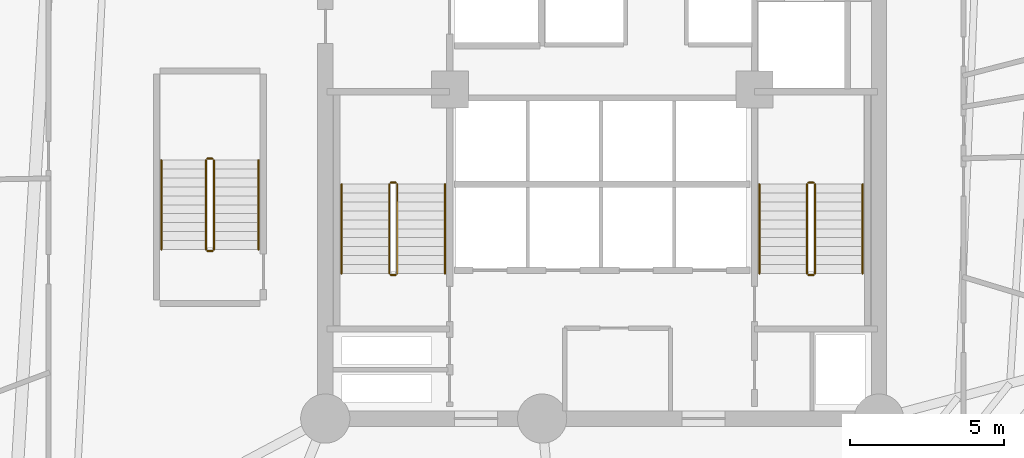
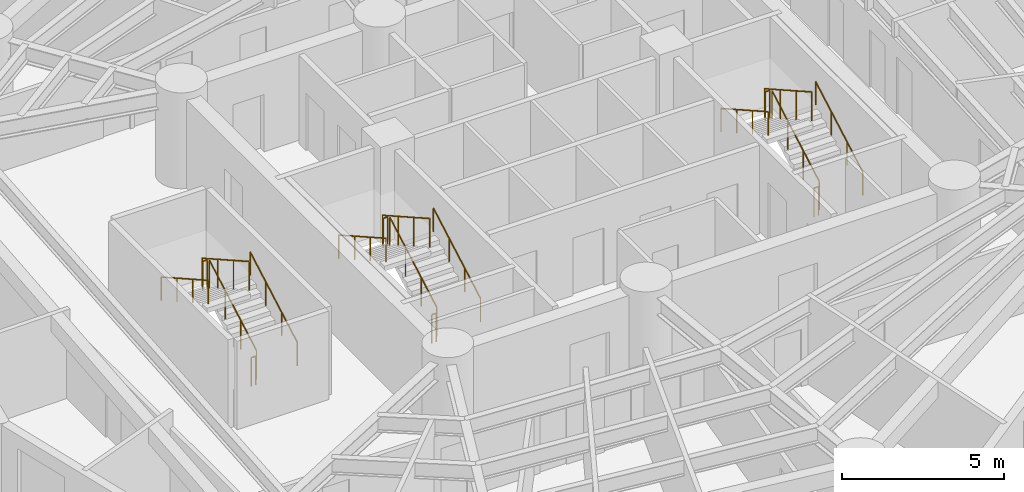
# One storey, part 8 of 8: 18 railings.
"""IFC4 building model written with IfcOpenShell, lengths in metres."""

from ifc_helpers import new_model, si_unit, direction, frame, origin, origin_2d, place, context, subcontext, project, spatial, circle, extrude, material, layer, layer_set, type_object, element, save


model = new_model("IFC4")

# Units and contexts
model_context = context("Model", 3, precision=1e-05, world=origin(), true_north=direction((0.0, 1.0)))
body_context = subcontext(model_context, "Body", "Model", "MODEL_VIEW")
ifc_project = project(units=[si_unit("LENGTHUNIT", "METRE"), si_unit("AREAUNIT", "SQUARE_METRE"), si_unit("VOLUMEUNIT", "CUBIC_METRE"), si_unit("PLANEANGLEUNIT", "RADIAN"), si_unit("MASSUNIT", "GRAM", prefix="KILO")], contexts=[model_context])

# Site, building, storey
site_placement = place(None, origin())
site = spatial("IfcSite", under=ifc_project, at=site_placement, CompositionType="ELEMENT")
building_placement = place(site_placement, origin())
building = spatial("IfcBuilding", under=site, at=building_placement, Name="Karkom Vertical University and Central Library", CompositionType="ELEMENT")
storey_placement = place(building_placement, frame((0.0, 0.0, 84.10009765625)))
storey = spatial("IfcBuildingStorey", under=building, at=storey_placement, Name="L22", CompositionType="ELEMENT", Elevation=84.10009765625)

# Railings
ifc_material_1 = material(Name="Painted galvanised steel balustrade", Category="steel")
ifc_layer_1 = layer(ifc_material_1, 0.06005859375)
ifc_layer_set_1 = layer_set([ifc_layer_1], Name="Painted galvanised steel balustrade")
railing_type_1 = type_object("IfcRailingType", Name="INT-RL-GUARD1100", PredefinedType="GUARDRAIL", material=ifc_layer_set_1)
railing_1_placement = place(storey_placement, frame((21.840087890625, 23.02001953125, 0.16357421875)))
element("IfcRailing", 1, at=railing_1_placement, inside=storey, type_object=railing_type_1, Name="Level 22 ST-1 stair guard 1", PredefinedType="GUARDRAIL", context=body_context, shape_type="SweptSolid", body=[
    extrude(circle(Radius=0.02392578125, at=origin_2d()), frame((0.0, 0.0, 1.076171875), z_axis=(0.0, 0.870928581787, 0.491409610636), x_axis=(-1.0, 0.0, 0.0)), (0.0, 0.0, 1.0), 3.32958984375),
    extrude(circle(Radius=0.02099609375, at=origin_2d()), origin(), (0.0, 0.0, 1.0), 1.052001953125),
    extrude(circle(Radius=0.02099609375, at=origin_2d()), frame((0.0, 0.966552734375, 0.54541015625)), (0.0, 0.0, 1.0), 1.052001953125),
    extrude(circle(Radius=0.02099609375, at=origin_2d()), frame((0.0, 1.933349609375, 1.0908203125)), (0.0, 0.0, 1.0), 1.052001953125),
    extrude(circle(Radius=0.02099609375, at=origin_2d()), frame((0.0, 2.89990234375, 1.63623046875)), (0.0, 0.0, 1.0), 1.052001953125),
])
railing_2_placement = place(storey_placement, frame((21.7900390625, 25.969970703125, 1.7998046875)))
element("IfcRailing", 2, at=railing_2_placement, inside=storey, type_object=railing_type_1, Name="Level 22 ST-1 stair guard 2", PredefinedType="GUARDRAIL", context=body_context, shape_type="SweptSolid", body=[
    extrude(circle(Radius=0.02392578125, at=origin_2d()), frame((0.0, 0.0, 1.076171875), z_axis=(-1.0, 0.0, 0.0), x_axis=(0.0, -1.0, 0.0)), (0.0, 0.0, 1.0), 0.16015625),
    extrude(circle(Radius=0.02099609375, at=origin_2d()), origin(), (0.0, 0.0, 1.0), 1.052001953125),
    extrude(circle(Radius=0.02099609375, at=origin_2d()), frame((-0.16015625, 0.0, 0.0)), (0.0, 0.0, 1.0), 1.052001953125),
])
railing_3_placement = place(storey_placement, frame((21.580078125, 25.919921875, 1.963623046875)))
element("IfcRailing", 3, at=railing_3_placement, inside=storey, type_object=railing_type_1, Name="Level 22 ST-1 stair guard 3", PredefinedType="GUARDRAIL", context=body_context, shape_type="SweptSolid", body=[
    extrude(circle(Radius=0.02392578125, at=origin_2d()), frame((0.0, 0.0, 1.076171875), z_axis=(0.0, -0.870928581787, 0.491409610636), x_axis=(1.0, 0.0, 0.0)), (0.0, 0.0, 1.0), 3.32958984375),
    extrude(circle(Radius=0.02099609375, at=origin_2d()), origin(), (0.0, 0.0, 1.0), 1.052001953125),
    extrude(circle(Radius=0.02099609375, at=origin_2d()), frame((0.0, -0.966552734375, 0.54541015625)), (0.0, 0.0, 1.0), 1.052001953125),
    extrude(circle(Radius=0.02099609375, at=origin_2d()), frame((0.0, -1.933349609375, 1.0908203125)), (0.0, 0.0, 1.0), 1.052001953125),
    extrude(circle(Radius=0.02099609375, at=origin_2d()), frame((0.0, -2.89990234375, 1.63623046875)), (0.0, 0.0, 1.0), 1.052001953125),
])
railing_4_placement = place(storey_placement, frame((21.7900390625, 22.969970703125, 0.0)))
element("IfcRailing", 4, at=railing_4_placement, inside=storey, type_object=railing_type_1, Name="Level 22 ST-1 stair guard 4", PredefinedType="GUARDRAIL", context=body_context, shape_type="SweptSolid", body=[
    extrude(circle(Radius=0.02392578125, at=origin_2d()), frame((0.0, 0.0, 1.076171875), z_axis=(-1.0, 0.0, 0.0), x_axis=(0.0, -1.0, 0.0)), (0.0, 0.0, 1.0), 0.16015625),
    extrude(circle(Radius=0.02099609375, at=origin_2d()), origin(), (0.0, 0.0, 1.0), 1.052001953125),
    extrude(circle(Radius=0.02099609375, at=origin_2d()), frame((-0.16015625, 0.0, 0.0)), (0.0, 0.0, 1.0), 1.052001953125),
])
railing_5_placement = place(storey_placement, frame((35.419921875, 23.02001953125, 0.16357421875)))
element("IfcRailing", 5, at=railing_5_placement, inside=storey, type_object=railing_type_1, Name="Level 22 ST-2 stair guard 1", PredefinedType="GUARDRAIL", context=body_context, shape_type="SweptSolid", body=[
    extrude(circle(Radius=0.02392578125, at=origin_2d()), frame((0.0, 0.0, 1.076171875), z_axis=(0.0, 0.870928581787, 0.491409610636), x_axis=(-1.0, 0.0, 0.0)), (0.0, 0.0, 1.0), 3.32958984375),
    extrude(circle(Radius=0.02099609375, at=origin_2d()), origin(), (0.0, 0.0, 1.0), 1.052001953125),
    extrude(circle(Radius=0.02099609375, at=origin_2d()), frame((0.0, 0.966552734375, 0.54541015625)), (0.0, 0.0, 1.0), 1.052001953125),
    extrude(circle(Radius=0.02099609375, at=origin_2d()), frame((0.0, 1.933349609375, 1.0908203125)), (0.0, 0.0, 1.0), 1.052001953125),
    extrude(circle(Radius=0.02099609375, at=origin_2d()), frame((0.0, 2.89990234375, 1.63623046875)), (0.0, 0.0, 1.0), 1.052001953125),
])
railing_6_placement = place(storey_placement, frame((35.3701171875, 25.969970703125, 1.7998046875)))
element("IfcRailing", 6, at=railing_6_placement, inside=storey, type_object=railing_type_1, Name="Level 22 ST-2 stair guard 2", PredefinedType="GUARDRAIL", context=body_context, shape_type="SweptSolid", body=[
    extrude(circle(Radius=0.02392578125, at=origin_2d()), frame((0.0, 0.0, 1.076171875), z_axis=(-1.0, 0.0, 0.0), x_axis=(0.0, -1.0, 0.0)), (0.0, 0.0, 1.0), 0.16015625),
    extrude(circle(Radius=0.02099609375, at=origin_2d()), origin(), (0.0, 0.0, 1.0), 1.052001953125),
    extrude(circle(Radius=0.02099609375, at=origin_2d()), frame((-0.16015625, 0.0, 0.0)), (0.0, 0.0, 1.0), 1.052001953125),
])
railing_7_placement = place(storey_placement, frame((35.159912109375, 25.919921875, 1.963623046875)))
element("IfcRailing", 7, at=railing_7_placement, inside=storey, type_object=railing_type_1, Name="Level 22 ST-2 stair guard 3", PredefinedType="GUARDRAIL", context=body_context, shape_type="SweptSolid", body=[
    extrude(circle(Radius=0.02392578125, at=origin_2d()), frame((0.0, 0.0, 1.076171875), z_axis=(0.0, -0.870928581787, 0.491409610636), x_axis=(1.0, 0.0, 0.0)), (0.0, 0.0, 1.0), 3.32958984375),
    extrude(circle(Radius=0.02099609375, at=origin_2d()), origin(), (0.0, 0.0, 1.0), 1.052001953125),
    extrude(circle(Radius=0.02099609375, at=origin_2d()), frame((0.0, -0.966552734375, 0.54541015625)), (0.0, 0.0, 1.0), 1.052001953125),
    extrude(circle(Radius=0.02099609375, at=origin_2d()), frame((0.0, -1.933349609375, 1.0908203125)), (0.0, 0.0, 1.0), 1.052001953125),
    extrude(circle(Radius=0.02099609375, at=origin_2d()), frame((0.0, -2.89990234375, 1.63623046875)), (0.0, 0.0, 1.0), 1.052001953125),
])
railing_8_placement = place(storey_placement, frame((35.3701171875, 22.969970703125, 0.0)))
element("IfcRailing", 8, at=railing_8_placement, inside=storey, type_object=railing_type_1, Name="Level 22 ST-2 stair guard 4", PredefinedType="GUARDRAIL", context=body_context, shape_type="SweptSolid", body=[
    extrude(circle(Radius=0.02392578125, at=origin_2d()), frame((0.0, 0.0, 1.076171875), z_axis=(-1.0, 0.0, 0.0), x_axis=(0.0, -1.0, 0.0)), (0.0, 0.0, 1.0), 0.16015625),
    extrude(circle(Radius=0.02099609375, at=origin_2d()), origin(), (0.0, 0.0, 1.0), 1.052001953125),
    extrude(circle(Radius=0.02099609375, at=origin_2d()), frame((-0.16015625, 0.0, 0.0)), (0.0, 0.0, 1.0), 1.052001953125),
])
railing_9_placement = place(storey_placement, frame((15.8798828125, 23.800048828125, 0.16357421875)))
element("IfcRailing", 9, at=railing_9_placement, inside=storey, type_object=railing_type_1, Name="Level 22 ST-3 stair guard 1", PredefinedType="GUARDRAIL", context=body_context, shape_type="SweptSolid", body=[
    extrude(circle(Radius=0.02392578125, at=origin_2d()), frame((0.0, 0.0, 1.076171875), z_axis=(0.0, 0.870928581787, 0.491409610636), x_axis=(-1.0, 0.0, 0.0)), (0.0, 0.0, 1.0), 3.32958984375),
    extrude(circle(Radius=0.02099609375, at=origin_2d()), origin(), (0.0, 0.0, 1.0), 1.052001953125),
    extrude(circle(Radius=0.02099609375, at=origin_2d()), frame((0.0, 0.966552734375, 0.54541015625)), (0.0, 0.0, 1.0), 1.052001953125),
    extrude(circle(Radius=0.02099609375, at=origin_2d()), frame((0.0, 1.933349609375, 1.0908203125)), (0.0, 0.0, 1.0), 1.052001953125),
    extrude(circle(Radius=0.02099609375, at=origin_2d()), frame((0.0, 2.89990234375, 1.63623046875)), (0.0, 0.0, 1.0), 1.052001953125),
])
railing_10_placement = place(storey_placement, frame((15.830078125, 26.75, 1.7998046875)))
element("IfcRailing", 10, at=railing_10_placement, inside=storey, type_object=railing_type_1, Name="Level 22 ST-3 stair guard 2", PredefinedType="GUARDRAIL", context=body_context, shape_type="SweptSolid", body=[
    extrude(circle(Radius=0.02392578125, at=origin_2d()), frame((0.0, 0.0, 1.076171875), z_axis=(-1.0, 0.0, 0.0), x_axis=(0.0, -1.0, 0.0)), (0.0, 0.0, 1.0), 0.16015625),
    extrude(circle(Radius=0.02099609375, at=origin_2d()), origin(), (0.0, 0.0, 1.0), 1.052001953125),
    extrude(circle(Radius=0.02099609375, at=origin_2d()), frame((-0.16015625, 0.0, 0.0)), (0.0, 0.0, 1.0), 1.052001953125),
])
railing_11_placement = place(storey_placement, frame((15.6201171875, 26.699951171875, 1.963623046875)))
element("IfcRailing", 11, at=railing_11_placement, inside=storey, type_object=railing_type_1, Name="Level 22 ST-3 stair guard 3", PredefinedType="GUARDRAIL", context=body_context, shape_type="SweptSolid", body=[
    extrude(circle(Radius=0.02392578125, at=origin_2d()), frame((0.0, 0.0, 1.076171875), z_axis=(0.0, -0.870928581787, 0.491409610636), x_axis=(1.0, 0.0, 0.0)), (0.0, 0.0, 1.0), 3.32958984375),
    extrude(circle(Radius=0.02099609375, at=origin_2d()), origin(), (0.0, 0.0, 1.0), 1.052001953125),
    extrude(circle(Radius=0.02099609375, at=origin_2d()), frame((0.0, -0.966552734375, 0.54541015625)), (0.0, 0.0, 1.0), 1.052001953125),
    extrude(circle(Radius=0.02099609375, at=origin_2d()), frame((0.0, -1.933349609375, 1.0908203125)), (0.0, 0.0, 1.0), 1.052001953125),
    extrude(circle(Radius=0.02099609375, at=origin_2d()), frame((0.0, -2.89990234375, 1.63623046875)), (0.0, 0.0, 1.0), 1.052001953125),
])
railing_12_placement = place(storey_placement, frame((15.830078125, 23.75, 0.0)))
element("IfcRailing", 12, at=railing_12_placement, inside=storey, type_object=railing_type_1, Name="Level 22 ST-3 stair guard 4", PredefinedType="GUARDRAIL", context=body_context, shape_type="SweptSolid", body=[
    extrude(circle(Radius=0.02392578125, at=origin_2d()), frame((0.0, 0.0, 1.076171875), z_axis=(-1.0, 0.0, 0.0), x_axis=(0.0, -1.0, 0.0)), (0.0, 0.0, 1.0), 0.16015625),
    extrude(circle(Radius=0.02099609375, at=origin_2d()), origin(), (0.0, 0.0, 1.0), 1.052001953125),
    extrude(circle(Radius=0.02099609375, at=origin_2d()), frame((-0.16015625, 0.0, 0.0)), (0.0, 0.0, 1.0), 1.052001953125),
])
ifc_material_2 = material(Name="Brushed stainless-steel tubular handrail", Category="steel")
ifc_layer_2 = layer(ifc_material_2, 0.048095703125)
ifc_layer_set_2 = layer_set([ifc_layer_2], Name="Brushed stainless-steel tubular handrail")
railing_type_2 = type_object("IfcRailingType", Name="INT-RL-HAND920", PredefinedType="HANDRAIL", material=ifc_layer_set_2)
railing_13_placement = place(storey_placement, frame((23.389892578125, 23.02001953125, 0.16357421875)))
element("IfcRailing", 13, at=railing_13_placement, inside=storey, type_object=railing_type_2, Name="Level 22 ST-1 stair handrail 1", PredefinedType="HANDRAIL", context=body_context, shape_type="SweptSolid", body=[
    extrude(circle(Radius=0.02392578125, at=origin_2d()), frame((0.0, 0.0, 0.8759765625), z_axis=(0.0, 0.870928581787, 0.491409610636), x_axis=(-1.0, 0.0, 0.0)), (0.0, 0.0, 1.0), 3.32958984375),
    extrude(circle(Radius=0.02099609375, at=origin_2d()), origin(), (0.0, 0.0, 1.0), 0.851806640625),
    extrude(circle(Radius=0.02099609375, at=origin_2d()), frame((0.0, 0.966552734375, 0.54541015625)), (0.0, 0.0, 1.0), 0.851806640625),
    extrude(circle(Radius=0.02099609375, at=origin_2d()), frame((0.0, 1.933349609375, 1.0908203125)), (0.0, 0.0, 1.0), 0.851806640625),
    extrude(circle(Radius=0.02099609375, at=origin_2d()), frame((0.0, 2.89990234375, 1.63623046875)), (0.0, 0.0, 1.0), 0.851806640625),
])
railing_14_placement = place(storey_placement, frame((20.030029296875, 25.919921875, 1.963623046875)))
element("IfcRailing", 14, at=railing_14_placement, inside=storey, type_object=railing_type_2, Name="Level 22 ST-1 stair handrail 2", PredefinedType="HANDRAIL", context=body_context, shape_type="SweptSolid", body=[
    extrude(circle(Radius=0.02392578125, at=origin_2d()), frame((0.0, 0.0, 0.8759765625), z_axis=(0.0, -0.870928581787, 0.491409610636), x_axis=(1.0, 0.0, 0.0)), (0.0, 0.0, 1.0), 3.32958984375),
    extrude(circle(Radius=0.02099609375, at=origin_2d()), origin(), (0.0, 0.0, 1.0), 0.851806640625),
    extrude(circle(Radius=0.02099609375, at=origin_2d()), frame((0.0, -0.966552734375, 0.54541015625)), (0.0, 0.0, 1.0), 0.851806640625),
    extrude(circle(Radius=0.02099609375, at=origin_2d()), frame((0.0, -1.933349609375, 1.0908203125)), (0.0, 0.0, 1.0), 0.851806640625),
    extrude(circle(Radius=0.02099609375, at=origin_2d()), frame((0.0, -2.89990234375, 1.63623046875)), (0.0, 0.0, 1.0), 0.851806640625),
])
railing_15_placement = place(storey_placement, frame((36.969970703125, 23.02001953125, 0.16357421875)))
element("IfcRailing", 15, at=railing_15_placement, inside=storey, type_object=railing_type_2, Name="Level 22 ST-2 stair handrail 1", PredefinedType="HANDRAIL", context=body_context, shape_type="SweptSolid", body=[
    extrude(circle(Radius=0.02392578125, at=origin_2d()), frame((0.0, 0.0, 0.8759765625), z_axis=(0.0, 0.870928581787, 0.491409610636), x_axis=(-1.0, 0.0, 0.0)), (0.0, 0.0, 1.0), 3.32958984375),
    extrude(circle(Radius=0.02099609375, at=origin_2d()), origin(), (0.0, 0.0, 1.0), 0.851806640625),
    extrude(circle(Radius=0.02099609375, at=origin_2d()), frame((0.0, 0.966552734375, 0.54541015625)), (0.0, 0.0, 1.0), 0.851806640625),
    extrude(circle(Radius=0.02099609375, at=origin_2d()), frame((0.0, 1.933349609375, 1.0908203125)), (0.0, 0.0, 1.0), 0.851806640625),
    extrude(circle(Radius=0.02099609375, at=origin_2d()), frame((0.0, 2.89990234375, 1.63623046875)), (0.0, 0.0, 1.0), 0.851806640625),
])
railing_16_placement = place(storey_placement, frame((33.610107421875, 25.919921875, 1.963623046875)))
element("IfcRailing", 16, at=railing_16_placement, inside=storey, type_object=railing_type_2, Name="Level 22 ST-2 stair handrail 2", PredefinedType="HANDRAIL", context=body_context, shape_type="SweptSolid", body=[
    extrude(circle(Radius=0.02392578125, at=origin_2d()), frame((0.0, 0.0, 0.8759765625), z_axis=(0.0, -0.870928581787, 0.491409610636), x_axis=(1.0, 0.0, 0.0)), (0.0, 0.0, 1.0), 3.32958984375),
    extrude(circle(Radius=0.02099609375, at=origin_2d()), origin(), (0.0, 0.0, 1.0), 0.851806640625),
    extrude(circle(Radius=0.02099609375, at=origin_2d()), frame((0.0, -0.966552734375, 0.54541015625)), (0.0, 0.0, 1.0), 0.851806640625),
    extrude(circle(Radius=0.02099609375, at=origin_2d()), frame((0.0, -1.933349609375, 1.0908203125)), (0.0, 0.0, 1.0), 0.851806640625),
    extrude(circle(Radius=0.02099609375, at=origin_2d()), frame((0.0, -2.89990234375, 1.63623046875)), (0.0, 0.0, 1.0), 0.851806640625),
])
railing_17_placement = place(storey_placement, frame((17.330078125, 23.800048828125, 0.16357421875)))
element("IfcRailing", 17, at=railing_17_placement, inside=storey, type_object=railing_type_2, Name="Level 22 ST-3 stair handrail 1", PredefinedType="HANDRAIL", context=body_context, shape_type="SweptSolid", body=[
    extrude(circle(Radius=0.02392578125, at=origin_2d()), frame((0.0, 0.0, 0.8759765625), z_axis=(0.0, 0.870928581787, 0.491409610636), x_axis=(-1.0, 0.0, 0.0)), (0.0, 0.0, 1.0), 3.32958984375),
    extrude(circle(Radius=0.02099609375, at=origin_2d()), origin(), (0.0, 0.0, 1.0), 0.851806640625),
    extrude(circle(Radius=0.02099609375, at=origin_2d()), frame((0.0, 0.966552734375, 0.54541015625)), (0.0, 0.0, 1.0), 0.851806640625),
    extrude(circle(Radius=0.02099609375, at=origin_2d()), frame((0.0, 1.933349609375, 1.0908203125)), (0.0, 0.0, 1.0), 0.851806640625),
    extrude(circle(Radius=0.02099609375, at=origin_2d()), frame((0.0, 2.89990234375, 1.63623046875)), (0.0, 0.0, 1.0), 0.851806640625),
])
railing_18_placement = place(storey_placement, frame((14.169921875, 26.699951171875, 1.963623046875)))
element("IfcRailing", 18, at=railing_18_placement, inside=storey, type_object=railing_type_2, Name="Level 22 ST-3 stair handrail 2", PredefinedType="HANDRAIL", context=body_context, shape_type="SweptSolid", body=[
    extrude(circle(Radius=0.02392578125, at=origin_2d()), frame((0.0, 0.0, 0.8759765625), z_axis=(0.0, -0.870928581787, 0.491409610636), x_axis=(1.0, 0.0, 0.0)), (0.0, 0.0, 1.0), 3.32958984375),
    extrude(circle(Radius=0.02099609375, at=origin_2d()), origin(), (0.0, 0.0, 1.0), 0.851806640625),
    extrude(circle(Radius=0.02099609375, at=origin_2d()), frame((0.0, -0.966552734375, 0.54541015625)), (0.0, 0.0, 1.0), 0.851806640625),
    extrude(circle(Radius=0.02099609375, at=origin_2d()), frame((0.0, -1.933349609375, 1.0908203125)), (0.0, 0.0, 1.0), 0.851806640625),
    extrude(circle(Radius=0.02099609375, at=origin_2d()), frame((0.0, -2.89990234375, 1.63623046875)), (0.0, 0.0, 1.0), 0.851806640625),
])

save(model, "model.ifc")
